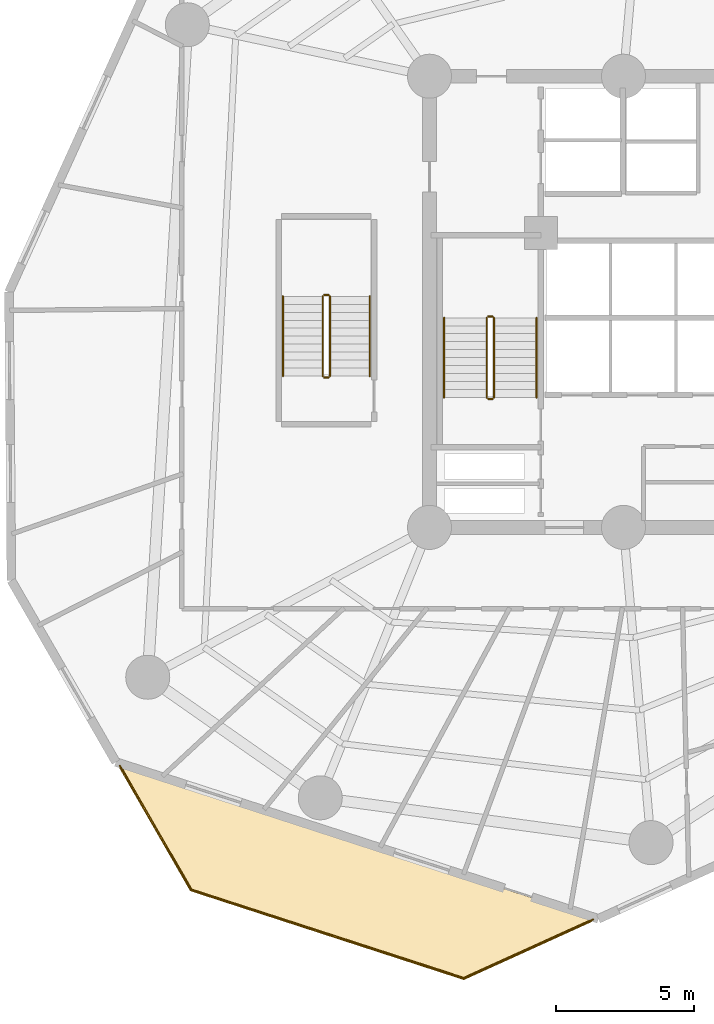
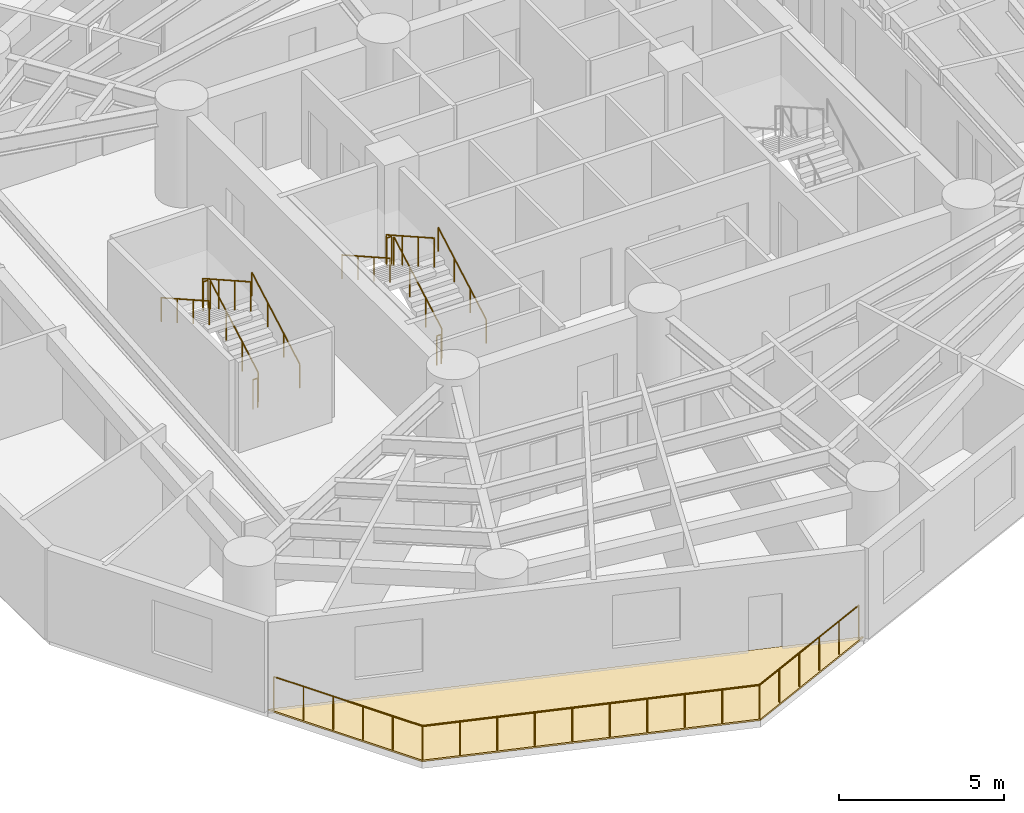
# One storey, part 8 of 9: 15 railings, 1 covering.
"""IFC4 building model written with IfcOpenShell, lengths in metres."""

import ifcopenshell
import ifcopenshell.guid

model = None  # the IFC model being written
_history = None  # IfcOwnerHistory: only IFC2X3 demands one
_inside = {}  # id of a spatial element -> (the spatial element, [elements in it])
_under = {}  # id of a project, library or spatial element -> (it, [spatial elements below it])
_declared = {}  # id of a project -> (the project, [libraries it declares])
_typed = {}  # id of a type object -> (the type object, [elements of that type])
_made_of = {}  # id of a material, layer set ... -> (it, [elements and type objects made of it])


def new_model(schema):
    """Start an empty IFC model of exactly this schema.

    Asked for "IFC4X3", IfcOpenShell would pick the latest addendum, in which some entities
    have other attributes; the version numbers below select the first issue.
    IFC2X3 requires an IfcOwnerHistory on every rooted entity: one is made here for all.
    """
    global model, _history
    if schema == "IFC4X3":
        model = ifcopenshell.file(schema_version=(4, 3, 0, 0))
    else:
        model = ifcopenshell.file(schema=schema)
    _inside.clear()
    _under.clear()
    _declared.clear()
    _typed.clear()
    _made_of.clear()
    _history = None
    if model.schema == "IFC2X3":
        org = make("IfcOrganization", Name="unknown")
        user = make(
            "IfcPersonAndOrganization",
            ThePerson=make("IfcPerson", FamilyName="unknown"),
            TheOrganization=org,
        )
        app = make(
            "IfcApplication",
            ApplicationDeveloper=org,
            Version="unknown",
            ApplicationFullName="unknown",
            ApplicationIdentifier="unknown",
        )
        _history = make(
            "IfcOwnerHistory",
            OwningUser=user,
            OwningApplication=app,
            ChangeAction="ADDED",
            CreationDate=0,
        )
    return model


def make(cls, **values):
    """One entity of the class cls with the attributes given. An attribute that is None is left unset."""
    return model.create_entity(
        cls, **{name: value for name, value in values.items() if value is not None}
    )


def rooted(cls, **values):
    """An entity with a GlobalId (a new one), such as an element, a storey or a relation."""
    return make(cls, GlobalId=ifcopenshell.guid.new(), OwnerHistory=_history, **values)


def si_unit(unit_type, name, prefix=None):
    """IfcSIUnit, for example si_unit("LENGTHUNIT", "METRE", prefix="MILLI")."""
    return make("IfcSIUnit", UnitType=unit_type, Prefix=prefix, Name=name)


def assignment(units):
    """IfcUnitAssignment: the units of a project."""
    return None if units is None else make("IfcUnitAssignment", Units=units)


def point(xyz):
    """IfcCartesianPoint."""
    return None if xyz is None else make("IfcCartesianPoint", Coordinates=xyz)


def direction(xyz):
    """IfcDirection."""
    return None if xyz is None else make("IfcDirection", DirectionRatios=xyz)


def frame(location, z_axis=None, x_axis=None):
    """IfcAxis2Placement3D, a coordinate frame: its origin and axes. An axis left out is left unset."""
    return make(
        "IfcAxis2Placement3D",
        Location=point(location),
        Axis=direction(z_axis),
        RefDirection=direction(x_axis),
    )


def frame_2d(location, x_axis=None):
    """IfcAxis2Placement2D, a coordinate frame in the plane: its origin and x axis."""
    return make(
        "IfcAxis2Placement2D", Location=point(location), RefDirection=direction(x_axis)
    )


def origin():
    """The frame at (0, 0, 0) with its axes left unset."""
    return frame((0.0, 0.0, 0.0))


def origin_2d():
    """The frame at (0, 0) in the plane with its x axis left unset."""
    return frame_2d((0.0, 0.0))


def place(relative_to, where):
    """IfcLocalPlacement: puts the frame where relative to a parent placement (None: the world)."""
    return make(
        "IfcLocalPlacement", PlacementRelTo=relative_to, RelativePlacement=where
    )


def context(
    kind, dimensions, precision=None, world=None, true_north=None, identifier=None
):
    """IfcGeometricRepresentationContext, for example the 3D "Model" context."""
    return make(
        "IfcGeometricRepresentationContext",
        ContextIdentifier=identifier,
        ContextType=kind,
        CoordinateSpaceDimension=dimensions,
        Precision=precision,
        WorldCoordinateSystem=world,
        TrueNorth=true_north,
    )


def subcontext(parent, identifier, kind, view, scale=None):
    """IfcGeometricRepresentationSubContext, for example "Body" below "Model"."""
    return make(
        "IfcGeometricRepresentationSubContext",
        ContextIdentifier=identifier,
        ContextType=kind,
        ParentContext=parent,
        TargetScale=scale,
        TargetView=view,
    )


def project(units=None, contexts=None):
    """IfcProject with its units and contexts."""
    return rooted(
        "IfcProject",
        Name="project",
        RepresentationContexts=contexts,
        UnitsInContext=assignment(units),
    )


def spatial(cls, under=None, at=None, **own):
    """A site, building, storey or space (cls), placed at a placement, below another one or the project."""
    s = rooted(cls, ObjectPlacement=at, **own)
    if under is not None:
        _under.setdefault(under.id(), (under, []))[1].append(s)
    return s


def polyline(points):
    """IfcPolyline through the points."""
    return make("IfcPolyline", Points=[point(p) for p in points])


def profile(cls, at=None, kind="AREA", **sizes):
    """A parametric profile (cls). Its sizes go by their IFC names, for example OverallWidth=200.0."""
    return make(cls, ProfileType=kind, Position=at, **sizes)


def circle(**sizes):
    """IfcCircleProfileDef."""
    return profile("IfcCircleProfileDef", **sizes)


def outline(outer, holes=None, kind="AREA"):
    """IfcArbitraryClosedProfileDef: a profile drawn as a closed curve; with holes, ...WithVoids."""
    if holes is None:
        return make("IfcArbitraryClosedProfileDef", ProfileType=kind, OuterCurve=outer)
    return make(
        "IfcArbitraryProfileDefWithVoids",
        ProfileType=kind,
        OuterCurve=outer,
        InnerCurves=holes,
    )


def extrude(swept, where, along, depth):
    """IfcExtrudedAreaSolid: the profile swept, set in the frame where, extruded along a direction by depth."""
    return make(
        "IfcExtrudedAreaSolid",
        SweptArea=swept,
        Position=where,
        ExtrudedDirection=direction(along),
        Depth=depth,
    )


def shape(context_of_items, identifier, shape_type, items):
    """IfcShapeRepresentation: the items that make up one representation, for example the "Body"."""
    return make(
        "IfcShapeRepresentation",
        ContextOfItems=context_of_items,
        RepresentationIdentifier=identifier,
        RepresentationType=shape_type,
        Items=items,
    )


def material(Name=None, Category=None):
    """IfcMaterial."""
    return make("IfcMaterial", Name=Name, Category=Category)


def layer(
    of_material, thickness, ventilated=None, Name=None, Category=None, Priority=None
):
    """IfcMaterialLayer: one layer of a wall or slab, of a material (None: an air gap)."""
    return make(
        "IfcMaterialLayer",
        Material=of_material,
        LayerThickness=thickness,
        IsVentilated=ventilated,
        Name=Name,
        Category=Category,
        Priority=Priority,
    )


def layer_set(layers, Name=None):
    """IfcMaterialLayerSet."""
    return make("IfcMaterialLayerSet", MaterialLayers=layers, LayerSetName=Name)


def made_of(thing, what):
    """Note that an element or type object is made of a material, layer set ...; save() writes the relation."""
    if what is not None:
        _made_of.setdefault(what.id(), (what, []))[1].append(thing)
    return thing


def type_object(cls, material=None, **own):
    """A type object (cls), such as IfcWallType, which elements share."""
    return made_of(rooted(cls, **own), material)


def element(
    cls,
    number,
    at=None,
    inside=None,
    cuts=None,
    type_object=None,
    material=None,
    context=None,
    identifier="Body",
    shape_type=None,
    held_by="IfcProductDefinitionShape",
    body=None,
    shapes=None,
    **own,
):
    """One element of the class cls, such as IfcWall. Its Tag is "e" and its number.

    at: its placement. inside: the storey or other place that contains it. cuts: it is an
    opening in that element (IfcRelVoidsElement). A single representation is given by context,
    identifier, shape_type and body (its items); several are given by shapes. held_by: the class
    of the entity that holds the representations. save() writes the other relations.
    """
    e = rooted(cls, Tag="e%d" % number, ObjectPlacement=at, **own)
    if body is not None:
        shapes = [shape(context, identifier, shape_type, body)]
    if shapes is not None:
        e.Representation = make(held_by, Representations=shapes)
    if inside is not None:
        _inside.setdefault(inside.id(), (inside, []))[1].append(e)
    if cuts is not None:
        rooted(
            "IfcRelVoidsElement", RelatingBuildingElement=cuts, RelatedOpeningElement=e
        )
    if type_object is not None:
        _typed.setdefault(type_object.id(), (type_object, []))[1].append(e)
    return made_of(e, material)


def aggregate(whole, parts):
    """IfcRelAggregates: a whole, such as a stair, and the parts it consists of."""
    return rooted("IfcRelAggregates", RelatingObject=whole, RelatedObjects=parts)


def save(model, path):
    """Write the relations noted so far, then the file.

    IfcRelAggregates (storeys below a building ...), IfcRelContainedInSpatialStructure (elements
    in a storey), IfcRelDefinesByType, IfcRelAssociatesMaterial and IfcRelDeclares: one each for
    every whole, place, type object, material and project.
    """
    for whole, parts in _under.values():
        aggregate(whole, parts)
    for where, things in _inside.values():
        rooted(
            "IfcRelContainedInSpatialStructure",
            RelatedElements=things,
            RelatingStructure=where,
        )
    for kind, things in _typed.values():
        rooted("IfcRelDefinesByType", RelatedObjects=things, RelatingType=kind)
    for what, things in _made_of.values():
        rooted("IfcRelAssociatesMaterial", RelatedObjects=things, RelatingMaterial=what)
    for by, libraries in _declared.values():
        rooted("IfcRelDeclares", RelatingContext=by, RelatedDefinitions=libraries)
    model.write(path)


model = new_model("IFC4")

# Units and contexts
model_context = context("Model", 3, precision=1e-05, world=origin(), true_north=direction((0.0, 1.0)))
body_context = subcontext(model_context, "Body", "Model", "MODEL_VIEW")
ifc_project = project(units=[si_unit("LENGTHUNIT", "METRE"), si_unit("AREAUNIT", "SQUARE_METRE"), si_unit("VOLUMEUNIT", "CUBIC_METRE"), si_unit("PLANEANGLEUNIT", "RADIAN"), si_unit("MASSUNIT", "GRAM", prefix="KILO")], contexts=[model_context])

# Site, building, storey
site_placement = place(None, origin())
site = spatial("IfcSite", under=ifc_project, at=site_placement, CompositionType="ELEMENT")
building_placement = place(site_placement, origin())
building = spatial("IfcBuilding", under=site, at=building_placement, Name="Karkom Vertical University and Central Library", CompositionType="ELEMENT")
storey_placement = place(building_placement, frame((0.0, 0.0, 48.10009765625)))
storey = spatial("IfcBuildingStorey", under=building, at=storey_placement, Name="L12", CompositionType="ELEMENT", Elevation=48.10009765625)

# Covering
ifc_material_1 = material(Name="EPDM membrane with Kota stone ballast roofing", Category="masonry")
ifc_layer_1 = layer(ifc_material_1, 0.080078125)
ifc_layer_set_1 = layer_set([ifc_layer_1], Name="EPDM membrane with Kota stone ballast roofing")
covering_type = type_object("IfcCoveringType", Name="ENV-COV-ROOF", PredefinedType="ROOFING", material=ifc_layer_set_1)
covering_placement = place(storey_placement, origin())
element("IfcCovering", 1, at=covering_placement, inside=storey, type_object=covering_type, Name="Level 12 Spiral Sky Garden Waterproofing Covering", PredefinedType="ROOFING", context=body_context, shape_type="SweptSolid", body=[
    extrude(outline(polyline([(20.748779296875, 1.85009765625), (10.79931640625, 5.083251953125), (8.114501953125, 9.7451171875), (25.61181640625, 4.05908203125), (20.748779296875, 1.85009765625)])), origin(), (0.0, 0.0, 1.0), 0.059814453125),
])

# Railings
ifc_material_2 = material(Name="Architectural painted steel & laminated glass balustrade", Category="steel")
ifc_layer_2 = layer(ifc_material_2, 0.090087890625)
ifc_layer_set_2 = layer_set([ifc_layer_2], Name="Architectural painted steel & laminated glass balustrade")
railing_type_1 = type_object("IfcRailingType", Name="ENV-RL-BAL1300", PredefinedType="BALUSTRADE", material=ifc_layer_set_2)
railing_1_placement = place(storey_placement, frame((20.7451171875, 1.914306640625, 0.0)))
element("IfcRailing", 2, at=railing_1_placement, inside=storey, type_object=railing_type_1, Name="Level 12 Planted Terrace Safety Balustrade 01", PredefinedType="BALUSTRADE", context=body_context, shape_type="SweptSolid", body=[
    extrude(circle(Radius=0.02392578125, at=origin_2d()), frame((0.0, 0.0, 1.27587890625), z_axis=(-0.95104715984, 0.309045789099, 0.0), x_axis=(-0.309045789099, -0.95104715984, 0.0)), (0.0, 0.0, 1.0), 10.4150390625),
    extrude(circle(Radius=0.02099609375, at=origin_2d()), origin(), (0.0, 0.0, 1.0), 1.251953125),
    extrude(circle(Radius=0.02099609375, at=origin_2d()), frame((-1.1005859375, 0.357666015625, 0.0)), (0.0, 0.0, 1.0), 1.251953125),
    extrude(circle(Radius=0.02099609375, at=origin_2d()), frame((-2.201171875, 0.71533203125, 0.0)), (0.0, 0.0, 1.0), 1.251953125),
    extrude(circle(Radius=0.02099609375, at=origin_2d()), frame((-3.3017578125, 1.072998046875, 0.0)), (0.0, 0.0, 1.0), 1.251953125),
    extrude(circle(Radius=0.02099609375, at=origin_2d()), frame((-4.40234375, 1.4306640625, 0.0)), (0.0, 0.0, 1.0), 1.251953125),
    extrude(circle(Radius=0.02099609375, at=origin_2d()), frame((-5.5029296875, 1.7880859375, 0.0)), (0.0, 0.0, 1.0), 1.251953125),
    extrude(circle(Radius=0.02099609375, at=origin_2d()), frame((-6.603515625, 2.145751953125, 0.0)), (0.0, 0.0, 1.0), 1.251953125),
    extrude(circle(Radius=0.02099609375, at=origin_2d()), frame((-7.7041015625, 2.50341796875, 0.0)), (0.0, 0.0, 1.0), 1.251953125),
    extrude(circle(Radius=0.02099609375, at=origin_2d()), frame((-8.8046875, 2.861083984375, 0.0)), (0.0, 0.0, 1.0), 1.251953125),
    extrude(circle(Radius=0.02099609375, at=origin_2d()), frame((-9.9052734375, 3.21875, 0.0)), (0.0, 0.0, 1.0), 1.251953125),
])
railing_2_placement = place(storey_placement, frame((10.83984375, 5.133056640625, 0.0)))
element("IfcRailing", 3, at=railing_2_placement, inside=storey, type_object=railing_type_1, Name="Level 12 Planted Terrace Safety Balustrade 02", PredefinedType="BALUSTRADE", context=body_context, shape_type="SweptSolid", body=[
    extrude(circle(Radius=0.02392578125, at=origin_2d()), frame((0.0, 0.0, 1.27587890625), z_axis=(-0.499073418319, 0.86655970546, 0.0), x_axis=(-0.86655970546, -0.499073418319, 0.0)), (0.0, 0.0, 1.0), 5.200439453125),
    extrude(circle(Radius=0.02099609375, at=origin_2d()), origin(), (0.0, 0.0, 1.0), 1.251953125),
    extrude(circle(Radius=0.02099609375, at=origin_2d()), frame((-0.51904296875, 0.9013671875, 0.0)), (0.0, 0.0, 1.0), 1.251953125),
    extrude(circle(Radius=0.02099609375, at=origin_2d()), frame((-1.0380859375, 1.802734375, 0.0)), (0.0, 0.0, 1.0), 1.251953125),
    extrude(circle(Radius=0.02099609375, at=origin_2d()), frame((-1.557373046875, 2.703857421875, 0.0)), (0.0, 0.0, 1.0), 1.251953125),
    extrude(circle(Radius=0.02099609375, at=origin_2d()), frame((-2.076416015625, 3.605224609375, 0.0)), (0.0, 0.0, 1.0), 1.251953125),
    extrude(circle(Radius=0.02099609375, at=origin_2d()), frame((-2.595458984375, 4.506591796875, 0.0)), (0.0, 0.0, 1.0), 1.251953125),
])
railing_3_placement = place(storey_placement, frame((25.4462890625, 4.0498046875, 0.0)))
element("IfcRailing", 4, at=railing_3_placement, inside=storey, type_object=railing_type_1, Name="Level 12 Planted Terrace Safety Balustrade 03", PredefinedType="BALUSTRADE", context=body_context, shape_type="SweptSolid", body=[
    extrude(circle(Radius=0.02392578125, at=origin_2d()), frame((0.0, 0.0, 1.27587890625), z_axis=(-0.910468463036, -0.413578502606, 0.0), x_axis=(0.413578502606, -0.910468463036, 0.0)), (0.0, 0.0, 1.0), 5.16357421875),
    extrude(circle(Radius=0.02099609375, at=origin_2d()), origin(), (0.0, 0.0, 1.0), 1.251953125),
    extrude(circle(Radius=0.02099609375, at=origin_2d()), frame((-0.940185546875, -0.427001953125, 0.0)), (0.0, 0.0, 1.0), 1.251953125),
    extrude(circle(Radius=0.02099609375, at=origin_2d()), frame((-1.88037109375, -0.854248046875, 0.0)), (0.0, 0.0, 1.0), 1.251953125),
    extrude(circle(Radius=0.02099609375, at=origin_2d()), frame((-2.82080078125, -1.28125, 0.0)), (0.0, 0.0, 1.0), 1.251953125),
    extrude(circle(Radius=0.02099609375, at=origin_2d()), frame((-3.760986328125, -1.70849609375, 0.0)), (0.0, 0.0, 1.0), 1.251953125),
    extrude(circle(Radius=0.02099609375, at=origin_2d()), frame((-4.701171875, -2.135498046875, 0.0)), (0.0, 0.0, 1.0), 1.251953125),
])
ifc_material_3 = material(Name="Painted galvanised steel balustrade", Category="steel")
ifc_layer_3 = layer(ifc_material_3, 0.06005859375)
ifc_layer_set_3 = layer_set([ifc_layer_3], Name="Painted galvanised steel balustrade")
railing_type_2 = type_object("IfcRailingType", Name="INT-RL-GUARD1100", PredefinedType="GUARDRAIL", material=ifc_layer_set_3)
railing_4_placement = place(storey_placement, frame((21.840087890625, 23.02001953125, 0.16357421875)))
element("IfcRailing", 5, at=railing_4_placement, inside=storey, type_object=railing_type_2, Name="Level 12 ST-1 stair guard 1", PredefinedType="GUARDRAIL", context=body_context, shape_type="SweptSolid", body=[
    extrude(circle(Radius=0.02392578125, at=origin_2d()), frame((0.0, 0.0, 1.076171875), z_axis=(0.0, 0.870928581787, 0.491409610636), x_axis=(-1.0, 0.0, 0.0)), (0.0, 0.0, 1.0), 3.32958984375),
    extrude(circle(Radius=0.02099609375, at=origin_2d()), origin(), (0.0, 0.0, 1.0), 1.052001953125),
    extrude(circle(Radius=0.02099609375, at=origin_2d()), frame((0.0, 0.966552734375, 0.54541015625)), (0.0, 0.0, 1.0), 1.052001953125),
    extrude(circle(Radius=0.02099609375, at=origin_2d()), frame((0.0, 1.933349609375, 1.0908203125)), (0.0, 0.0, 1.0), 1.052001953125),
    extrude(circle(Radius=0.02099609375, at=origin_2d()), frame((0.0, 2.89990234375, 1.63623046875)), (0.0, 0.0, 1.0), 1.052001953125),
])
railing_5_placement = place(storey_placement, frame((21.7900390625, 25.969970703125, 1.7998046875)))
element("IfcRailing", 6, at=railing_5_placement, inside=storey, type_object=railing_type_2, Name="Level 12 ST-1 stair guard 2", PredefinedType="GUARDRAIL", context=body_context, shape_type="SweptSolid", body=[
    extrude(circle(Radius=0.02392578125, at=origin_2d()), frame((0.0, 0.0, 1.076171875), z_axis=(-1.0, 0.0, 0.0), x_axis=(0.0, -1.0, 0.0)), (0.0, 0.0, 1.0), 0.16015625),
    extrude(circle(Radius=0.02099609375, at=origin_2d()), origin(), (0.0, 0.0, 1.0), 1.052001953125),
    extrude(circle(Radius=0.02099609375, at=origin_2d()), frame((-0.16015625, 0.0, 0.0)), (0.0, 0.0, 1.0), 1.052001953125),
])
railing_6_placement = place(storey_placement, frame((21.580078125, 25.919921875, 1.963623046875)))
element("IfcRailing", 7, at=railing_6_placement, inside=storey, type_object=railing_type_2, Name="Level 12 ST-1 stair guard 3", PredefinedType="GUARDRAIL", context=body_context, shape_type="SweptSolid", body=[
    extrude(circle(Radius=0.02392578125, at=origin_2d()), frame((0.0, 0.0, 1.076171875), z_axis=(0.0, -0.870928581787, 0.491409610636), x_axis=(1.0, 0.0, 0.0)), (0.0, 0.0, 1.0), 3.32958984375),
    extrude(circle(Radius=0.02099609375, at=origin_2d()), origin(), (0.0, 0.0, 1.0), 1.052001953125),
    extrude(circle(Radius=0.02099609375, at=origin_2d()), frame((0.0, -0.966552734375, 0.54541015625)), (0.0, 0.0, 1.0), 1.052001953125),
    extrude(circle(Radius=0.02099609375, at=origin_2d()), frame((0.0, -1.933349609375, 1.0908203125)), (0.0, 0.0, 1.0), 1.052001953125),
    extrude(circle(Radius=0.02099609375, at=origin_2d()), frame((0.0, -2.89990234375, 1.63623046875)), (0.0, 0.0, 1.0), 1.052001953125),
])
railing_7_placement = place(storey_placement, frame((21.7900390625, 22.969970703125, 0.0)))
element("IfcRailing", 8, at=railing_7_placement, inside=storey, type_object=railing_type_2, Name="Level 12 ST-1 stair guard 4", PredefinedType="GUARDRAIL", context=body_context, shape_type="SweptSolid", body=[
    extrude(circle(Radius=0.02392578125, at=origin_2d()), frame((0.0, 0.0, 1.076171875), z_axis=(-1.0, 0.0, 0.0), x_axis=(0.0, -1.0, 0.0)), (0.0, 0.0, 1.0), 0.16015625),
    extrude(circle(Radius=0.02099609375, at=origin_2d()), origin(), (0.0, 0.0, 1.0), 1.052001953125),
    extrude(circle(Radius=0.02099609375, at=origin_2d()), frame((-0.16015625, 0.0, 0.0)), (0.0, 0.0, 1.0), 1.052001953125),
])
railing_8_placement = place(storey_placement, frame((15.8798828125, 23.800048828125, 0.16357421875)))
element("IfcRailing", 9, at=railing_8_placement, inside=storey, type_object=railing_type_2, Name="Level 12 ST-3 stair guard 1", PredefinedType="GUARDRAIL", context=body_context, shape_type="SweptSolid", body=[
    extrude(circle(Radius=0.02392578125, at=origin_2d()), frame((0.0, 0.0, 1.076171875), z_axis=(0.0, 0.870928581787, 0.491409610636), x_axis=(-1.0, 0.0, 0.0)), (0.0, 0.0, 1.0), 3.32958984375),
    extrude(circle(Radius=0.02099609375, at=origin_2d()), origin(), (0.0, 0.0, 1.0), 1.052001953125),
    extrude(circle(Radius=0.02099609375, at=origin_2d()), frame((0.0, 0.966552734375, 0.54541015625)), (0.0, 0.0, 1.0), 1.052001953125),
    extrude(circle(Radius=0.02099609375, at=origin_2d()), frame((0.0, 1.933349609375, 1.0908203125)), (0.0, 0.0, 1.0), 1.052001953125),
    extrude(circle(Radius=0.02099609375, at=origin_2d()), frame((0.0, 2.89990234375, 1.63623046875)), (0.0, 0.0, 1.0), 1.052001953125),
])
railing_9_placement = place(storey_placement, frame((15.830078125, 26.75, 1.7998046875)))
element("IfcRailing", 10, at=railing_9_placement, inside=storey, type_object=railing_type_2, Name="Level 12 ST-3 stair guard 2", PredefinedType="GUARDRAIL", context=body_context, shape_type="SweptSolid", body=[
    extrude(circle(Radius=0.02392578125, at=origin_2d()), frame((0.0, 0.0, 1.076171875), z_axis=(-1.0, 0.0, 0.0), x_axis=(0.0, -1.0, 0.0)), (0.0, 0.0, 1.0), 0.16015625),
    extrude(circle(Radius=0.02099609375, at=origin_2d()), origin(), (0.0, 0.0, 1.0), 1.052001953125),
    extrude(circle(Radius=0.02099609375, at=origin_2d()), frame((-0.16015625, 0.0, 0.0)), (0.0, 0.0, 1.0), 1.052001953125),
])
railing_10_placement = place(storey_placement, frame((15.6201171875, 26.699951171875, 1.963623046875)))
element("IfcRailing", 11, at=railing_10_placement, inside=storey, type_object=railing_type_2, Name="Level 12 ST-3 stair guard 3", PredefinedType="GUARDRAIL", context=body_context, shape_type="SweptSolid", body=[
    extrude(circle(Radius=0.02392578125, at=origin_2d()), frame((0.0, 0.0, 1.076171875), z_axis=(0.0, -0.870928581787, 0.491409610636), x_axis=(1.0, 0.0, 0.0)), (0.0, 0.0, 1.0), 3.32958984375),
    extrude(circle(Radius=0.02099609375, at=origin_2d()), origin(), (0.0, 0.0, 1.0), 1.052001953125),
    extrude(circle(Radius=0.02099609375, at=origin_2d()), frame((0.0, -0.966552734375, 0.54541015625)), (0.0, 0.0, 1.0), 1.052001953125),
    extrude(circle(Radius=0.02099609375, at=origin_2d()), frame((0.0, -1.933349609375, 1.0908203125)), (0.0, 0.0, 1.0), 1.052001953125),
    extrude(circle(Radius=0.02099609375, at=origin_2d()), frame((0.0, -2.89990234375, 1.63623046875)), (0.0, 0.0, 1.0), 1.052001953125),
])
railing_11_placement = place(storey_placement, frame((15.830078125, 23.75, 0.0)))
element("IfcRailing", 12, at=railing_11_placement, inside=storey, type_object=railing_type_2, Name="Level 12 ST-3 stair guard 4", PredefinedType="GUARDRAIL", context=body_context, shape_type="SweptSolid", body=[
    extrude(circle(Radius=0.02392578125, at=origin_2d()), frame((0.0, 0.0, 1.076171875), z_axis=(-1.0, 0.0, 0.0), x_axis=(0.0, -1.0, 0.0)), (0.0, 0.0, 1.0), 0.16015625),
    extrude(circle(Radius=0.02099609375, at=origin_2d()), origin(), (0.0, 0.0, 1.0), 1.052001953125),
    extrude(circle(Radius=0.02099609375, at=origin_2d()), frame((-0.16015625, 0.0, 0.0)), (0.0, 0.0, 1.0), 1.052001953125),
])
ifc_material_4 = material(Name="Brushed stainless-steel tubular handrail", Category="steel")
ifc_layer_4 = layer(ifc_material_4, 0.048095703125)
ifc_layer_set_4 = layer_set([ifc_layer_4], Name="Brushed stainless-steel tubular handrail")
railing_type_3 = type_object("IfcRailingType", Name="INT-RL-HAND920", PredefinedType="HANDRAIL", material=ifc_layer_set_4)
railing_12_placement = place(storey_placement, frame((23.389892578125, 23.02001953125, 0.16357421875)))
element("IfcRailing", 13, at=railing_12_placement, inside=storey, type_object=railing_type_3, Name="Level 12 ST-1 stair handrail 1", PredefinedType="HANDRAIL", context=body_context, shape_type="SweptSolid", body=[
    extrude(circle(Radius=0.02392578125, at=origin_2d()), frame((0.0, 0.0, 0.8759765625), z_axis=(0.0, 0.870928581787, 0.491409610636), x_axis=(-1.0, 0.0, 0.0)), (0.0, 0.0, 1.0), 3.32958984375),
    extrude(circle(Radius=0.02099609375, at=origin_2d()), origin(), (0.0, 0.0, 1.0), 0.851806640625),
    extrude(circle(Radius=0.02099609375, at=origin_2d()), frame((0.0, 0.966552734375, 0.54541015625)), (0.0, 0.0, 1.0), 0.851806640625),
    extrude(circle(Radius=0.02099609375, at=origin_2d()), frame((0.0, 1.933349609375, 1.0908203125)), (0.0, 0.0, 1.0), 0.851806640625),
    extrude(circle(Radius=0.02099609375, at=origin_2d()), frame((0.0, 2.89990234375, 1.63623046875)), (0.0, 0.0, 1.0), 0.851806640625),
])
railing_13_placement = place(storey_placement, frame((20.030029296875, 25.919921875, 1.963623046875)))
element("IfcRailing", 14, at=railing_13_placement, inside=storey, type_object=railing_type_3, Name="Level 12 ST-1 stair handrail 2", PredefinedType="HANDRAIL", context=body_context, shape_type="SweptSolid", body=[
    extrude(circle(Radius=0.02392578125, at=origin_2d()), frame((0.0, 0.0, 0.8759765625), z_axis=(0.0, -0.870928581787, 0.491409610636), x_axis=(1.0, 0.0, 0.0)), (0.0, 0.0, 1.0), 3.32958984375),
    extrude(circle(Radius=0.02099609375, at=origin_2d()), origin(), (0.0, 0.0, 1.0), 0.851806640625),
    extrude(circle(Radius=0.02099609375, at=origin_2d()), frame((0.0, -0.966552734375, 0.54541015625)), (0.0, 0.0, 1.0), 0.851806640625),
    extrude(circle(Radius=0.02099609375, at=origin_2d()), frame((0.0, -1.933349609375, 1.0908203125)), (0.0, 0.0, 1.0), 0.851806640625),
    extrude(circle(Radius=0.02099609375, at=origin_2d()), frame((0.0, -2.89990234375, 1.63623046875)), (0.0, 0.0, 1.0), 0.851806640625),
])
railing_14_placement = place(storey_placement, frame((17.330078125, 23.800048828125, 0.16357421875)))
element("IfcRailing", 15, at=railing_14_placement, inside=storey, type_object=railing_type_3, Name="Level 12 ST-3 stair handrail 1", PredefinedType="HANDRAIL", context=body_context, shape_type="SweptSolid", body=[
    extrude(circle(Radius=0.02392578125, at=origin_2d()), frame((0.0, 0.0, 0.8759765625), z_axis=(0.0, 0.870928581787, 0.491409610636), x_axis=(-1.0, 0.0, 0.0)), (0.0, 0.0, 1.0), 3.32958984375),
    extrude(circle(Radius=0.02099609375, at=origin_2d()), origin(), (0.0, 0.0, 1.0), 0.851806640625),
    extrude(circle(Radius=0.02099609375, at=origin_2d()), frame((0.0, 0.966552734375, 0.54541015625)), (0.0, 0.0, 1.0), 0.851806640625),
    extrude(circle(Radius=0.02099609375, at=origin_2d()), frame((0.0, 1.933349609375, 1.0908203125)), (0.0, 0.0, 1.0), 0.851806640625),
    extrude(circle(Radius=0.02099609375, at=origin_2d()), frame((0.0, 2.89990234375, 1.63623046875)), (0.0, 0.0, 1.0), 0.851806640625),
])
railing_15_placement = place(storey_placement, frame((14.169921875, 26.699951171875, 1.963623046875)))
element("IfcRailing", 16, at=railing_15_placement, inside=storey, type_object=railing_type_3, Name="Level 12 ST-3 stair handrail 2", PredefinedType="HANDRAIL", context=body_context, shape_type="SweptSolid", body=[
    extrude(circle(Radius=0.02392578125, at=origin_2d()), frame((0.0, 0.0, 0.8759765625), z_axis=(0.0, -0.870928581787, 0.491409610636), x_axis=(1.0, 0.0, 0.0)), (0.0, 0.0, 1.0), 3.32958984375),
    extrude(circle(Radius=0.02099609375, at=origin_2d()), origin(), (0.0, 0.0, 1.0), 0.851806640625),
    extrude(circle(Radius=0.02099609375, at=origin_2d()), frame((0.0, -0.966552734375, 0.54541015625)), (0.0, 0.0, 1.0), 0.851806640625),
    extrude(circle(Radius=0.02099609375, at=origin_2d()), frame((0.0, -1.933349609375, 1.0908203125)), (0.0, 0.0, 1.0), 0.851806640625),
    extrude(circle(Radius=0.02099609375, at=origin_2d()), frame((0.0, -2.89990234375, 1.63623046875)), (0.0, 0.0, 1.0), 0.851806640625),
])

save(model, "model.ifc")
